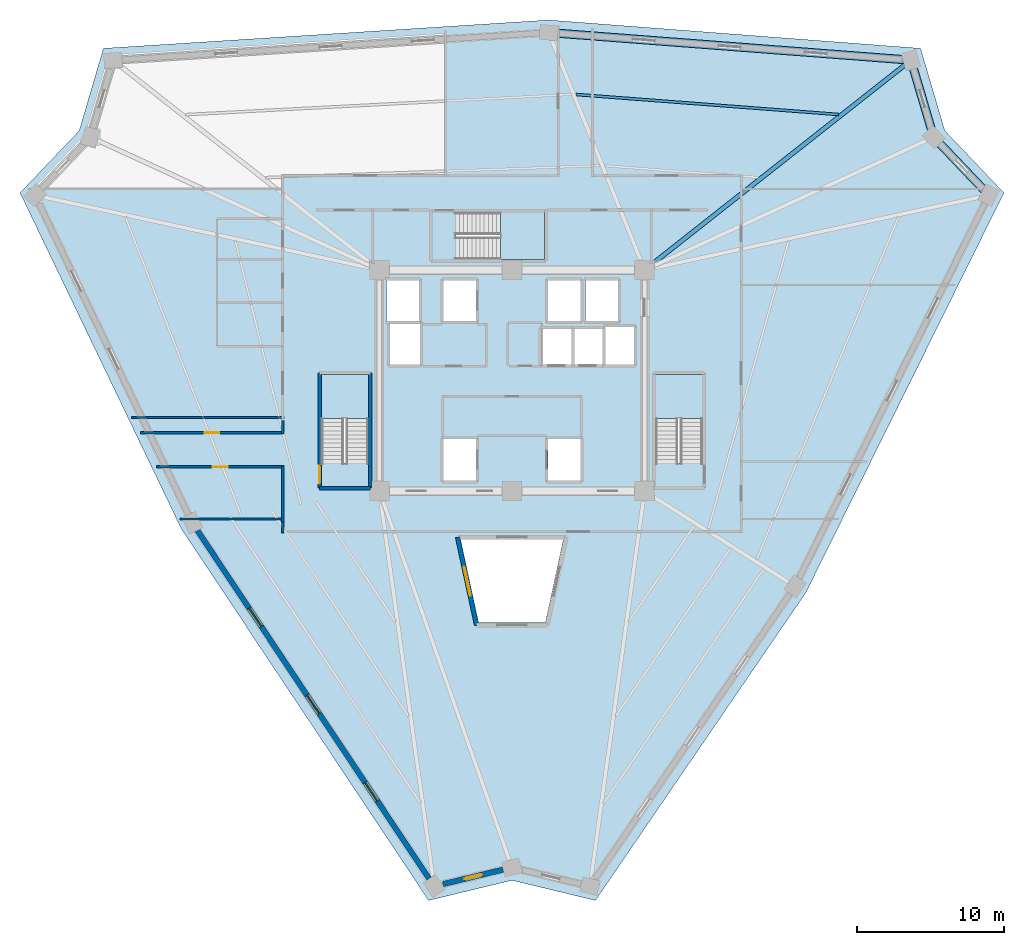
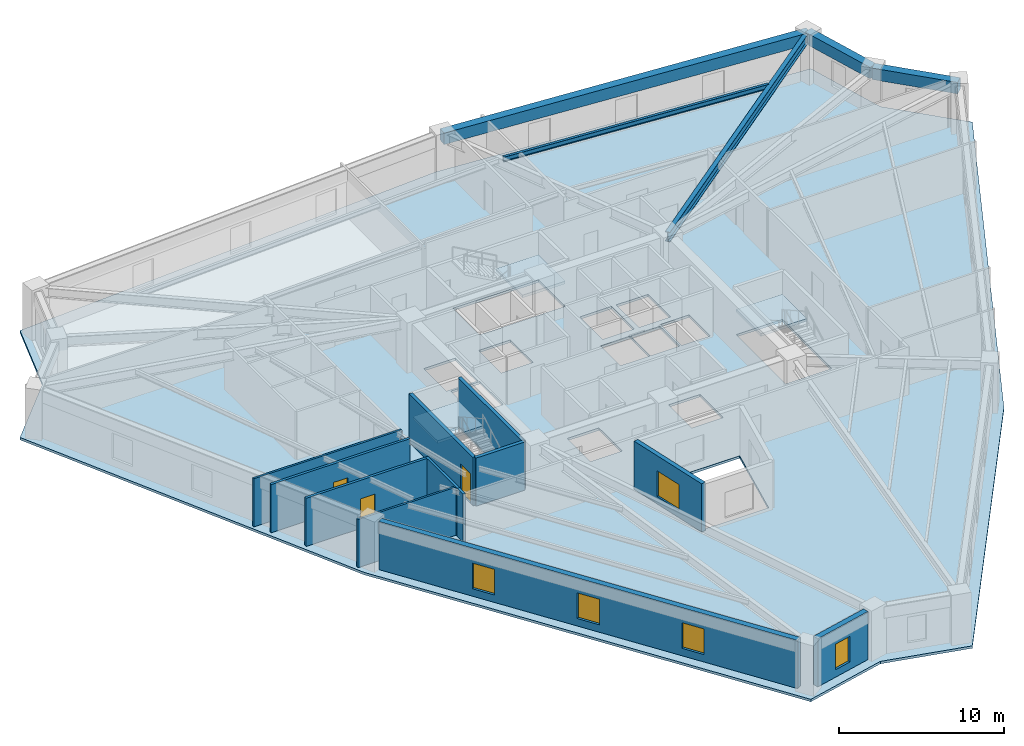
# One storey, part 2 of 9: 13 walls, 5 beams, 5 windows, 4 slabs, 3 doors, 8 openings, 3 elements without a shape of their own.
"""IFC4 building model written with IfcOpenShell, lengths in metres."""

from ifc_helpers import new_model, si_unit, direction, frame, frame_2d, origin, origin_2d, place, context, subcontext, project, spatial, polyline, rectangle, i_section, outline, extrude, source, transform, mapped, material, layer, layer_set, material_profile, profile_set, type_object, element, fill, aggregate, save


model = new_model("IFC4")

# Units and contexts
model_context = context("Model", 3, precision=1e-05, world=origin(), true_north=direction((0.0, 1.0)))
body_context = subcontext(model_context, "Body", "Model", "MODEL_VIEW")
ifc_project = project(units=[si_unit("LENGTHUNIT", "METRE"), si_unit("AREAUNIT", "SQUARE_METRE"), si_unit("VOLUMEUNIT", "CUBIC_METRE"), si_unit("PLANEANGLEUNIT", "RADIAN"), si_unit("MASSUNIT", "GRAM", prefix="KILO")], contexts=[model_context])

# Site, building, storey
site_placement = place(None, origin())
site = spatial("IfcSite", under=ifc_project, at=site_placement, CompositionType="ELEMENT")
building_placement = place(site_placement, origin())
building = spatial("IfcBuilding", under=site, at=building_placement, Name="Liaohun Quay Tower", CompositionType="ELEMENT")
storey_placement = place(building_placement, frame((0.0, 0.0, 236.25)))
storey = spatial("IfcBuildingStorey", under=building, at=storey_placement, Name="L61", CompositionType="ELEMENT", Elevation=236.25)

# Beams
ifc_material_1 = material(Name="Steel Q355D", Category="steel")
ifc_material_profile_1 = material_profile(ifc_material_1, i_section(OverallWidth=0.300048828125, OverallDepth=0.699951171875, WebThickness=0.012939453125, FlangeThickness=0.02392578125, at=origin_2d()), Name="HN700x300x13x24")
ifc_profile_set_1 = profile_set([ifc_material_profile_1], Name="Steel Q355D")
beam_type_1 = type_object("IfcBeamType", Name="BM-RAD-U1", PredefinedType="BEAM", material=ifc_profile_set_1)
shared_shape_1 = source(origin(), body_context, "Body", "SweptSolid", [
    extrude(i_section(OverallWidth=0.300048828125, OverallDepth=0.699951171875, WebThickness=0.012939453125, FlangeThickness=0.02392578125, at=origin_2d()), origin(), (0.0, 0.0, 1.0), 23.018310546875),
])
beam_1_placement = place(storey_placement, frame((69.0, 61.5, 3.219970703125), z_axis=(0.785466672961, 0.618903955123, 0.0), x_axis=(-0.618903955123, 0.785466672961, 0.0)))
element("IfcBeam", 1, at=beam_1_placement, inside=storey, type_object=beam_type_1, Name="L61 Radial Primary Girder CC4-PC07", PredefinedType="BEAM", context=body_context, shape_type="MappedRepresentation", body=[
    mapped(shared_shape_1, transform((0.0, 0.0, 0.0), x_axis=(1.0, 0.0, 0.0), y_axis=(0.0, 1.0, 0.0), z_axis=(0.0, 0.0, 1.0), scale=1.0)),
])
ifc_material_profile_2 = material_profile(ifc_material_1, i_section(OverallWidth=0.175048828125, OverallDepth=0.35009765625, WebThickness=0.007080078125, FlangeThickness=0.010986328125, at=origin_2d()), Name="HN350x175x7x11")
ifc_profile_set_2 = profile_set([ifc_material_profile_2], Name="Steel Q355D")
beam_type_2 = type_object("IfcBeamType", Name="BM-SEC-J3", PredefinedType="JOIST", material=ifc_profile_set_2)
shared_shape_2 = source(origin(), body_context, "Body", "SweptSolid", [
    extrude(i_section(OverallWidth=0.175048828125, OverallDepth=0.35009765625, WebThickness=0.007080078125, FlangeThickness=0.010986328125, at=origin_2d()), origin(), (0.0, 0.0, 1.0), 17.859375),
])
beam_2_placement = place(storey_placement, frame((64.35009765625, 73.416015625, 3.39501953125), z_axis=(0.997109470076, -0.075978317197, 0.0), x_axis=(0.075978317197, 0.997109470076, 0.0)))
element("IfcBeam", 2, at=beam_2_placement, inside=storey, type_object=beam_type_2, Name="L61 Wing Secondary Floor Joist SJ-09", PredefinedType="JOIST", context=body_context, shape_type="MappedRepresentation", body=[
    mapped(shared_shape_2, transform((0.0, 0.0, 0.0), x_axis=(1.0, 0.0, 0.0), y_axis=(0.0, 1.0, 0.0), z_axis=(0.0, 0.0, 1.0), scale=1.0)),
])
ifc_material_2 = material(Name="Precast concrete C50", Category="concrete")
ifc_material_profile_3 = material_profile(ifc_material_2, rectangle(XDim=0.550048828125, YDim=0.85009765625, at=origin_2d()), Name="RC550x850")
ifc_profile_set_3 = profile_set([ifc_material_profile_3], Name="Precast concrete C50")
beam_type_3 = type_object("IfcBeamType", Name="BM-SPD-Z3", PredefinedType="SPANDREL", material=ifc_profile_set_3)
shared_shape_3 = source(origin(), body_context, "Body", "SweptSolid", [
    extrude(rectangle(XDim=0.550048828125, YDim=0.85009765625, at=origin_2d()), origin(), (0.0, 0.0, 1.0), 24.660400390625),
])
beam_3_placement = place(storey_placement, frame((62.490966796875, 77.6201171875, 3.14501953125), z_axis=(0.997108338578, -0.075993165076, 0.0), x_axis=(0.075993165076, 0.997108338578, 0.0)))
element("IfcBeam", 3, at=beam_3_placement, inside=storey, type_object=beam_type_3, Name="L61 Precast Spandrel Beam PC06-PC07", PredefinedType="SPANDREL", context=body_context, shape_type="MappedRepresentation", body=[
    mapped(shared_shape_3, transform((0.0, 0.0, 0.0), x_axis=(1.0, 0.0, 0.0), y_axis=(0.0, 1.0, 0.0), z_axis=(0.0, 0.0, 1.0), scale=1.0)),
])
shared_shape_4 = source(origin(), body_context, "Body", "SweptSolid", [
    extrude(rectangle(XDim=0.550048828125, YDim=0.85009765625, at=origin_2d()), origin(), (0.0, 0.0, 1.0), 5.444091796875),
])
beam_4_placement = place(storey_placement, frame((87.080078125, 75.74609375, 3.14501953125), z_axis=(0.28265429174, -0.959221846791, 0.0), x_axis=(0.959221846791, 0.28265429174, 0.0)))
element("IfcBeam", 4, at=beam_4_placement, inside=storey, type_object=beam_type_3, Name="L61 Precast Spandrel Beam PC07-PC08", PredefinedType="SPANDREL", context=body_context, shape_type="MappedRepresentation", body=[
    mapped(shared_shape_4, transform((0.0, 0.0, 0.0), x_axis=(1.0, 0.0, 0.0), y_axis=(0.0, 1.0, 0.0), z_axis=(0.0, 0.0, 1.0), scale=1.0)),
])
shared_shape_5 = source(origin(), body_context, "Body", "SweptSolid", [
    extrude(rectangle(XDim=0.550048828125, YDim=0.85009765625, at=origin_2d()), origin(), (0.0, 0.0, 1.0), 5.437255859375),
])
beam_5_placement = place(storey_placement, frame((88.618896484375, 70.52392578125, 3.14501953125), z_axis=(0.689332195413, -0.72444539088, 0.0), x_axis=(0.72444539088, 0.689332195413, 0.0)))
element("IfcBeam", 5, at=beam_5_placement, inside=storey, type_object=beam_type_3, Name="L61 Precast Spandrel Beam PC08-PC09", PredefinedType="SPANDREL", context=body_context, shape_type="MappedRepresentation", body=[
    mapped(shared_shape_5, transform((0.0, 0.0, 0.0), x_axis=(1.0, 0.0, 0.0), y_axis=(0.0, 1.0, 0.0), z_axis=(0.0, 0.0, 1.0), scale=1.0)),
])

# Stair, slab
ifc_material_3 = material(Name="Concrete C45", Category="concrete")
stair_type = type_object("IfcStairType", Name="STR-CORE-OFF", PredefinedType="HALF_TURN_STAIR", material=ifc_material_3)
stair_1_placement = place(storey_placement, origin())
stair_1 = element("IfcStair", 6, at=stair_1_placement, inside=storey, type_object=stair_type, Name="L61 Smokeproof Core Exit Stair ST-1", PredefinedType="HALF_TURN_STAIR")
ifc_layer_1 = layer(ifc_material_3, 0.199951171875, Name="Concrete C45", Category="concrete")
ifc_layer_set_1 = layer_set([ifc_layer_1], Name="Concrete C45")
slab_type_1 = type_object("IfcSlabType", Name="SLB-LND-200", PredefinedType="LANDING", material=ifc_layer_set_1)
slab_1_placement = place(storey_placement, frame((0.0, 0.0, 1.675048828125)))
slab_1 = element("IfcSlab", 7, at=slab_1_placement, type_object=slab_type_1, Name="ST-1 landing 1", PredefinedType="LANDING", context=body_context, shape_type="SweptSolid", body=[
    extrude(outline(polyline([(50.280029296875, 51.429931640625), (50.280029296875, 54.419921875), (47.0400390625, 54.419921875), (47.0400390625, 51.429931640625), (50.280029296875, 51.429931640625)])), origin(), (0.0, 0.0, 1.0), 0.199951171875),
])
aggregate(stair_1, [slab_1])

stair_2_placement = place(storey_placement, origin())
stair_2 = element("IfcStair", 8, at=stair_2_placement, inside=storey, type_object=stair_type, Name="L61 Smokeproof Core Exit Stair ST-2", PredefinedType="HALF_TURN_STAIR")
slab_2_placement = place(storey_placement, frame((0.0, 0.0, 1.675048828125)))
slab_2 = element("IfcSlab", 9, at=slab_2_placement, type_object=slab_type_1, Name="ST-2 landing 1", PredefinedType="LANDING", context=body_context, shape_type="SweptSolid", body=[
    extrude(outline(polyline([(72.9599609375, 51.429931640625), (72.9599609375, 54.419921875), (69.719970703125, 54.419921875), (69.719970703125, 51.429931640625), (72.9599609375, 51.429931640625)])), origin(), (0.0, 0.0, 1.0), 0.199951171875),
])
aggregate(stair_2, [slab_2])

stair_3_placement = place(storey_placement, origin())
stair_3 = element("IfcStair", 10, at=stair_3_placement, inside=storey, type_object=stair_type, Name="L61 Smokeproof Core Exit Stair ST-3", PredefinedType="HALF_TURN_STAIR")
slab_3_placement = place(storey_placement, frame((0.0, 0.0, 1.675048828125)))
slab_3 = element("IfcSlab", 11, at=slab_3_placement, type_object=slab_type_1, Name="ST-3 landing 1", PredefinedType="LANDING", context=body_context, shape_type="SweptSolid", body=[
    extrude(outline(polyline([(59.22998046875, 62.199951171875), (62.219970703125, 62.199951171875), (62.219970703125, 65.43994140625), (59.22998046875, 65.43994140625), (59.22998046875, 62.199951171875)])), origin(), (0.0, 0.0, 1.0), 0.199951171875),
])
aggregate(stair_3, [slab_3])

# Slab
ifc_layer_2 = layer(ifc_material_3, 0.179931640625, Name="Concrete C45", Category="concrete")
ifc_layer_set_2 = layer_set([ifc_layer_2], Name="Concrete C45")
slab_type_2 = type_object("IfcSlabType", Name="SLB-OFF-180", PredefinedType="FLOOR", material=ifc_layer_set_2)
slab_4_placement = place(storey_placement, frame((0.0, 0.0, -0.179931640625)))
element("IfcSlab", 12, at=slab_4_placement, inside=storey, type_object=slab_type_2, Name="L61 Structural Floor Slab", PredefinedType="FLOOR", context=body_context, shape_type="SweptSolid", body=[
    extrude(outline(polyline([(54.3369140625, 18.7109375), (60.0, 20.0791015625), (65.6630859375, 18.7109375), (79.945068359375, 39.60302734375), (93.39306640625, 66.739990234375), (89.3759765625, 70.9609375), (87.72998046875, 76.549072265625), (62.49609375, 78.471923828125), (32.27001953125, 76.549072265625), (30.6240234375, 70.9609375), (26.60693359375, 66.739990234375), (37.55908203125, 43.926025390625), (54.3369140625, 18.7109375)]), holes=[polyline([(63.48193359375, 43.199951171875), (56.51806640625, 43.199951171875), (57.737060546875, 37.56298828125), (62.262939453125, 37.56298828125), (63.48193359375, 43.199951171875)]), polyline([(57.56005859375, 47.2099609375), (57.56005859375, 50.030029296875), (55.340087890625, 50.030029296875), (55.340087890625, 47.2099609375), (57.56005859375, 47.2099609375)]), polyline([(50.280029296875, 54.419921875), (47.0400390625, 54.419921875), (47.0400390625, 48.409912109375), (50.280029296875, 48.409912109375), (50.280029296875, 54.419921875)]), polyline([(53.760009765625, 55.090087890625), (53.760009765625, 57.909912109375), (51.7099609375, 57.909912109375), (51.7099609375, 55.090087890625), (53.760009765625, 55.090087890625)]), polyline([(53.7099609375, 58.0400390625), (53.7099609375, 60.7900390625), (51.489990234375, 60.7900390625), (51.489990234375, 58.0400390625), (53.7099609375, 58.0400390625)]), polyline([(57.56005859375, 58.0400390625), (57.56005859375, 60.7900390625), (55.340087890625, 60.7900390625), (55.340087890625, 58.0400390625), (57.56005859375, 58.0400390625)]), polyline([(62.219970703125, 62.199951171875), (62.219970703125, 65.43994140625), (56.2099609375, 65.43994140625), (56.2099609375, 62.199951171875), (62.219970703125, 62.199951171875)]), polyline([(64.659912109375, 50.030029296875), (62.43994140625, 50.030029296875), (62.43994140625, 47.2099609375), (64.659912109375, 47.2099609375), (64.659912109375, 50.030029296875)]), polyline([(72.9599609375, 54.419921875), (69.719970703125, 54.419921875), (69.719970703125, 48.409912109375), (72.9599609375, 48.409912109375), (72.9599609375, 54.419921875)]), polyline([(64.06005859375, 55.090087890625), (64.06005859375, 57.510009765625), (61.989990234375, 57.510009765625), (61.989990234375, 55.090087890625), (64.06005859375, 55.090087890625)]), polyline([(66.159912109375, 55.090087890625), (66.159912109375, 57.510009765625), (64.090087890625, 57.510009765625), (64.090087890625, 55.090087890625), (66.159912109375, 55.090087890625)]), polyline([(68.2900390625, 55.090087890625), (68.2900390625, 57.659912109375), (66.2900390625, 57.659912109375), (66.2900390625, 55.090087890625), (68.2900390625, 55.090087890625)]), polyline([(64.659912109375, 58.0400390625), (64.659912109375, 60.7900390625), (62.43994140625, 60.7900390625), (62.43994140625, 58.0400390625), (64.659912109375, 58.0400390625)]), polyline([(67.2099609375, 58.0400390625), (67.2099609375, 60.7900390625), (64.989990234375, 60.7900390625), (64.989990234375, 58.0400390625), (67.2099609375, 58.0400390625)])]), origin(), (0.0, 0.0, 1.0), 0.179931640625),
])

# Wall, opening, window
ifc_material_4 = material(Name="Concrete C50", Category="concrete")
ifc_layer_3 = layer(ifc_material_4, 0.300048828125, Name="Concrete C50", Category="concrete")
ifc_layer_set_3 = layer_set([ifc_layer_3], Name="Concrete C50")
wall_type_1 = type_object("IfcWallType", Name="WAL-ATR-300", PredefinedType="SOLIDWALL", material=ifc_layer_set_3)
wall_1_placement = place(storey_placement, frame((57.60009765625, 37.39306640625, 0.0), z_axis=(0.0, 0.0, 1.0), x_axis=(-0.211469886749, 0.977384513382, 0.0)))
wall_1 = element("IfcWall", 13, at=wall_1_placement, inside=storey, type_object=wall_type_1, Name="L61 Atrium Fire Compartment Wall 1", PredefinedType="SOLIDWALL", context=body_context, shape_type="SweptSolid", body=[
    extrude(rectangle(XDim=6.115234375, YDim=0.300048828125, at=frame_2d((3.0576171875, 0.0))), origin(), (0.0, 0.0, 1.0), 3.570068359375),
])
shared_shape_6 = source(origin(), body_context, "Body", "SweptSolid", [
    extrude(rectangle(XDim=2.0, YDim=1.89990234375, at=frame_2d((1.0, 0.949951171875))), frame((0.0, 0.159912109375, 0.0), z_axis=(0.0, -1.0, 0.0), x_axis=(1.0, 0.0, 0.0)), (0.0, 0.0, 1.0), 0.320068359375),
])
opening_1_placement = place(wall_1_placement, frame((2.05810546875, 0.0, 0.550048828125)))
opening_1 = element("IfcOpeningElement", 14, at=opening_1_placement, cuts=wall_1, Name="Opening W07", PredefinedType="OPENING", context=body_context, shape_type="MappedRepresentation", body=[
    mapped(shared_shape_6, transform((0.0, 0.0, 0.0), x_axis=(1.0, 0.0, 0.0), y_axis=(0.0, 1.0, 0.0), z_axis=(0.0, 0.0, 1.0), scale=1.0)),
])
ifc_material_5 = material(Name="Class A 180-min fire-resistant insulated glazing", Category="glass")
window_type_1 = type_object("IfcWindowType", Name="WIN-ATR-FIR", PartitioningType="DOUBLE_PANEL_VERTICAL", PredefinedType="WINDOW", material=ifc_material_5)
shared_shape_7 = source(origin(), body_context, "Body", "SweptSolid", [
    extrude(rectangle(XDim=2.0, YDim=1.89990234375, at=frame_2d((1.0, 0.949951171875))), frame((0.0, 0.030029296875, 0.0), z_axis=(0.0, -1.0, 0.0), x_axis=(1.0, 0.0, 0.0)), (0.0, 0.0, 1.0), 0.06005859375),
])
window_1_placement = place(opening_1_placement, origin())
window_1 = element("IfcWindow", 15, at=window_1_placement, inside=storey, type_object=window_type_1, Name="L61 Atrium Fire-Resistant Glazing W07-1", OverallHeight=1.89990234375, OverallWidth=2.0, PartitioningType="DOUBLE_PANEL_VERTICAL", PredefinedType="WINDOW", context=body_context, shape_type="MappedRepresentation", body=[
    mapped(shared_shape_7, transform((0.0, 0.0, 0.0), x_axis=(1.0, 0.0, 0.0), y_axis=(0.0, 1.0, 0.0), z_axis=(0.0, 0.0, 1.0), scale=1.0)),
])
fill(opening_1, window_1)

# Wall, openings, windows
ifc_material_6 = material(Name="Precast concrete C50 insulated sandwich", Category="concrete")
ifc_layer_4 = layer(ifc_material_6, 0.3798828125, Name="Precast concrete C50 insulated sandwich", Category="concrete")
ifc_layer_set_4 = layer_set([ifc_layer_4], Name="Precast concrete C50 insulated sandwich")
wall_type_2 = type_object("IfcWallType", Name="WAL-EXT-Z34", PredefinedType="SOLIDWALL", material=ifc_layer_set_4)
wall_2_placement = place(storey_placement, frame((38.64111328125, 43.8349609375, 0.0), z_axis=(0.0, 0.0, 1.0), x_axis=(0.553942197413, -0.83255512846, 0.0)))
wall_2 = element("IfcWall", 16, at=wall_2_placement, inside=storey, type_object=wall_type_2, Name="L61 Brutalist Precast Pier Wall 11", PredefinedType="SOLIDWALL", context=body_context, shape_type="SweptSolid", body=[
    extrude(rectangle(XDim=28.401611328125, YDim=0.3798828125, at=frame_2d((14.20068359375, 0.0))), origin(), (0.0, 0.0, 1.0), 3.570068359375),
])
shared_shape_8 = source(origin(), body_context, "Body", "SweptSolid", [
    extrude(rectangle(XDim=1.5, YDim=1.89990234375, at=frame_2d((0.75, 0.949951171875))), frame((0.0, 0.199951171875, 0.0), z_axis=(0.0, -1.0, 0.0), x_axis=(1.0, 0.0, 0.0)), (0.0, 0.0, 1.0), 0.39990234375),
])
opening_2_placement = place(wall_2_placement, frame((6.35009765625, 0.0, 0.550048828125)))
opening_2 = element("IfcOpeningElement", 17, at=opening_2_placement, cuts=wall_2, Name="Opening W03", PredefinedType="OPENING", context=body_context, shape_type="MappedRepresentation", body=[
    mapped(shared_shape_8, transform((0.0, 0.0, 0.0), x_axis=(1.0, 0.0, 0.0), y_axis=(0.0, 1.0, 0.0), z_axis=(0.0, 0.0, 1.0), scale=1.0)),
])
opening_3_placement = place(wall_2_placement, frame((13.450927734375, 0.0, 0.550048828125)))
opening_3 = element("IfcOpeningElement", 18, at=opening_3_placement, cuts=wall_2, Name="Opening W03", PredefinedType="OPENING", context=body_context, shape_type="MappedRepresentation", body=[
    mapped(shared_shape_8, transform((0.0, 0.0, 0.0), x_axis=(1.0, 0.0, 0.0), y_axis=(0.0, 1.0, 0.0), z_axis=(0.0, 0.0, 1.0), scale=1.0)),
])
opening_4_placement = place(wall_2_placement, frame((20.551025390625, 0.0, 0.550048828125)))
opening_4 = element("IfcOpeningElement", 19, at=opening_4_placement, cuts=wall_2, Name="Opening W03", PredefinedType="OPENING", context=body_context, shape_type="MappedRepresentation", body=[
    mapped(shared_shape_8, transform((0.0, 0.0, 0.0), x_axis=(1.0, 0.0, 0.0), y_axis=(0.0, 1.0, 0.0), z_axis=(0.0, 0.0, 1.0), scale=1.0)),
])
ifc_material_7 = material(Name="Triple Low-E argon glazing in thermally broken aluminium", Category="aluminium")
window_type_2 = type_object("IfcWindowType", Name="WIN-PUN-Z3", PartitioningType="DOUBLE_PANEL_VERTICAL", PredefinedType="WINDOW", material=ifc_material_7)
shared_shape_9 = source(origin(), body_context, "Body", "SweptSolid", [
    extrude(rectangle(XDim=1.5, YDim=1.89990234375, at=frame_2d((0.75, 0.949951171875))), frame((0.0, 0.030029296875, 0.0), z_axis=(0.0, -1.0, 0.0), x_axis=(1.0, 0.0, 0.0)), (0.0, 0.0, 1.0), 0.06005859375),
])
window_2_placement = place(opening_2_placement, origin())
window_2 = element("IfcWindow", 20, at=window_2_placement, inside=storey, type_object=window_type_2, Name="L61 Recessed Cold-Climate Punched Window 11-1", OverallHeight=1.89990234375, OverallWidth=1.5, PartitioningType="DOUBLE_PANEL_VERTICAL", PredefinedType="WINDOW", context=body_context, shape_type="MappedRepresentation", body=[
    mapped(shared_shape_9, transform((0.0, 0.0, 0.0), x_axis=(1.0, 0.0, 0.0), y_axis=(0.0, 1.0, 0.0), z_axis=(0.0, 0.0, 1.0), scale=1.0)),
])
fill(opening_2, window_2)
window_3_placement = place(opening_3_placement, origin())
window_3 = element("IfcWindow", 21, at=window_3_placement, inside=storey, type_object=window_type_2, Name="L61 Recessed Cold-Climate Punched Window 11-2", OverallHeight=1.89990234375, OverallWidth=1.5, PartitioningType="DOUBLE_PANEL_VERTICAL", PredefinedType="WINDOW", context=body_context, shape_type="MappedRepresentation", body=[
    mapped(shared_shape_9, transform((0.0, 0.0, 0.0), x_axis=(1.0, 0.0, 0.0), y_axis=(0.0, 1.0, 0.0), z_axis=(0.0, 0.0, 1.0), scale=1.0)),
])
fill(opening_3, window_3)
window_4_placement = place(opening_4_placement, origin())
window_4 = element("IfcWindow", 22, at=window_4_placement, inside=storey, type_object=window_type_2, Name="L61 Recessed Cold-Climate Punched Window 11-3", OverallHeight=1.89990234375, OverallWidth=1.5, PartitioningType="DOUBLE_PANEL_VERTICAL", PredefinedType="WINDOW", context=body_context, shape_type="MappedRepresentation", body=[
    mapped(shared_shape_9, transform((0.0, 0.0, 0.0), x_axis=(1.0, 0.0, 0.0), y_axis=(0.0, 1.0, 0.0), z_axis=(0.0, 0.0, 1.0), scale=1.0)),
])
fill(opening_4, window_4)

# Wall, opening, window
wall_3_placement = place(storey_placement, frame((55.31298828125, 19.821044921875, 0.0), z_axis=(0.0, 0.0, 1.0), x_axis=(0.972027407526, 0.234867449893, 0.0)))
wall_3 = element("IfcWall", 23, at=wall_3_placement, inside=storey, type_object=wall_type_2, Name="L61 Brutalist Precast Pier Wall 12", PredefinedType="SOLIDWALL", context=body_context, shape_type="SweptSolid", body=[
    extrude(rectangle(XDim=4.206787109375, YDim=0.3798828125, at=frame_2d((2.103515625, 0.0))), origin(), (0.0, 0.0, 1.0), 3.570068359375),
])
shared_shape_10 = source(origin(), body_context, "Body", "SweptSolid", [
    extrude(rectangle(XDim=1.199951171875, YDim=1.89990234375, at=frame_2d((0.60009765625, 0.949951171875))), frame((0.0, 0.199951171875, 0.0), z_axis=(0.0, -1.0, 0.0), x_axis=(1.0, 0.0, 0.0)), (0.0, 0.0, 1.0), 0.39990234375),
])
opening_5_placement = place(wall_3_placement, frame((1.5029296875, 0.0, 0.550048828125)))
opening_5 = element("IfcOpeningElement", 24, at=opening_5_placement, cuts=wall_3, Name="Opening W05", PredefinedType="OPENING", context=body_context, shape_type="MappedRepresentation", body=[
    mapped(shared_shape_10, transform((0.0, 0.0, 0.0), x_axis=(1.0, 0.0, 0.0), y_axis=(0.0, 1.0, 0.0), z_axis=(0.0, 0.0, 1.0), scale=1.0)),
])
ifc_material_8 = material(Name="Triple Low-E corner notch glazing", Category="glass")
window_type_3 = type_object("IfcWindowType", Name="WIN-NOTCH", PartitioningType="SINGLE_PANEL", PredefinedType="WINDOW", material=ifc_material_8)
shared_shape_11 = source(origin(), body_context, "Body", "SweptSolid", [
    extrude(rectangle(XDim=1.199951171875, YDim=1.89990234375, at=frame_2d((0.60009765625, 0.949951171875))), frame((0.0, 0.030029296875, 0.0), z_axis=(0.0, -1.0, 0.0), x_axis=(1.0, 0.0, 0.0)), (0.0, 0.0, 1.0), 0.06005859375),
])
window_5_placement = place(opening_5_placement, origin())
window_5 = element("IfcWindow", 25, at=window_5_placement, inside=storey, type_object=window_type_3, Name="L61 Corner Notch Window W05-12", OverallHeight=1.89990234375, OverallWidth=1.199951171875, PartitioningType="SINGLE_PANEL", PredefinedType="WINDOW", context=body_context, shape_type="MappedRepresentation", body=[
    mapped(shared_shape_11, transform((0.0, 0.0, 0.0), x_axis=(1.0, 0.0, 0.0), y_axis=(0.0, 1.0, 0.0), z_axis=(0.0, 0.0, 1.0), scale=1.0)),
])
fill(opening_5, window_5)

# Wall, opening, door
ifc_material_9 = material(Name="Autoclaved aerated concrete blockwork", Category="masonry")
ifc_layer_5 = layer(ifc_material_9, 0.179931640625, Name="Autoclaved aerated concrete blockwork", Category="masonry")
ifc_layer_set_5 = layer_set([ifc_layer_5], Name="Autoclaved aerated concrete blockwork")
wall_type_3 = type_object("IfcWallType", Name="WAL-PRT-COR", PredefinedType="PARTITIONING", material=ifc_layer_set_5)
wall_4_placement = place(storey_placement, frame((34.77392578125, 50.4599609375, 0.0), z_axis=(0.0, 0.0, 1.0), x_axis=(1.0, 0.0, 0.0)))
wall_4 = element("IfcWall", 26, at=wall_4_placement, inside=storey, type_object=wall_type_3, Name="L61 Interior Partition Wall 017", PredefinedType="PARTITIONING", context=body_context, shape_type="SweptSolid", body=[
    extrude(rectangle(XDim=9.736083984375, YDim=0.179931640625, at=frame_2d((4.8681640625, 0.0))), origin(), (0.0, 0.0, 1.0), 3.570068359375),
])
shared_shape_12 = source(origin(), body_context, "Body", "SweptSolid", [
    extrude(rectangle(XDim=1.0, YDim=2.199951171875, at=frame_2d((0.5, 1.10009765625))), frame((0.0, 0.099853515625, 0.0), z_axis=(0.0, -1.0, 0.0), x_axis=(1.0, 0.0, 0.0)), (0.0, 0.0, 1.0), 0.199951171875),
])
opening_6_placement = place(wall_4_placement, frame((4.367919921875, 0.0, 0.0)))
opening_6 = element("IfcOpeningElement", 27, at=opening_6_placement, cuts=wall_4, Name="Opening OD1", PredefinedType="OPENING", context=body_context, shape_type="MappedRepresentation", body=[
    mapped(shared_shape_12, transform((0.0, 0.0, 0.0), x_axis=(1.0, 0.0, 0.0), y_axis=(0.0, 1.0, 0.0), z_axis=(0.0, 0.0, 1.0), scale=1.0)),
])
ifc_material_10 = material(Name="Solid-core oak veneer timber leaf in steel frame", Category="steel")
door_type_1 = type_object("IfcDoorType", Name="DOR-OFF-1000", OperationType="NOTDEFINED", PredefinedType="DOOR", material=ifc_material_10)
shared_shape_13 = source(origin(), body_context, "Body", "SweptSolid", [
    extrude(rectangle(XDim=1.0, YDim=2.199951171875, at=frame_2d((0.5, 1.10009765625))), frame((0.0, 0.02490234375, 0.0), z_axis=(0.0, -1.0, 0.0), x_axis=(1.0, 0.0, 0.0)), (0.0, 0.0, 1.0), 0.050048828125),
])
door_1_placement = place(opening_6_placement, origin())
door_1 = element("IfcDoor", 28, at=door_1_placement, inside=storey, type_object=door_type_1, Name="L61 Digital Prototyping Laboratory 07 Door", OperationType="SINGLE_SWING_LEFT", OverallHeight=2.199951171875, OverallWidth=1.0, PredefinedType="DOOR", context=body_context, shape_type="MappedRepresentation", body=[
    mapped(shared_shape_13, transform((0.0, 0.0, 0.0), x_axis=(1.0, 0.0, 0.0), y_axis=(0.0, 1.0, 0.0), z_axis=(0.0, 0.0, 1.0), scale=1.0)),
])
fill(opening_6, door_1)

wall_5_placement = place(storey_placement, frame((44.510009765625, 48.139892578125, 0.0), z_axis=(0.0, 0.0, 1.0), x_axis=(-1.0, 0.0, 0.0)))
wall_5 = element("IfcWall", 29, at=wall_5_placement, inside=storey, type_object=wall_type_3, Name="L61 Interior Partition Wall 018", PredefinedType="PARTITIONING", context=body_context, shape_type="SweptSolid", body=[
    extrude(rectangle(XDim=8.6220703125, YDim=0.179931640625, at=frame_2d((4.31103515625, 0.0))), origin(), (0.0, 0.0, 1.0), 3.570068359375),
])
opening_7_placement = place(wall_5_placement, frame((3.81103515625, 0.0, 0.0)))
opening_7 = element("IfcOpeningElement", 30, at=opening_7_placement, cuts=wall_5, Name="Opening OD1", PredefinedType="OPENING", context=body_context, shape_type="MappedRepresentation", body=[
    mapped(shared_shape_12, transform((0.0, 0.0, 0.0), x_axis=(1.0, 0.0, 0.0), y_axis=(0.0, 1.0, 0.0), z_axis=(0.0, 0.0, 1.0), scale=1.0)),
])
door_2_placement = place(opening_7_placement, origin())
door_2 = element("IfcDoor", 31, at=door_2_placement, inside=storey, type_object=door_type_1, Name="L61 Engineering Model Workshop 08 Door", OperationType="SINGLE_SWING_RIGHT", OverallHeight=2.199951171875, OverallWidth=1.0, PredefinedType="DOOR", context=body_context, shape_type="MappedRepresentation", body=[
    mapped(shared_shape_13, transform((0.0, 0.0, 0.0), x_axis=(1.0, 0.0, 0.0), y_axis=(0.0, 1.0, 0.0), z_axis=(0.0, 0.0, 1.0), scale=1.0)),
])
fill(opening_7, door_2)

# Walls
wall_6_placement = place(storey_placement, frame((44.43994140625, 50.389892578125, 0.0), z_axis=(0.0, 0.0, 1.0), x_axis=(0.0, 1.0, 0.0)))
element("IfcWall", 32, at=wall_6_placement, inside=storey, type_object=wall_type_3, Name="L61 Interior Partition Wall 036", PredefinedType="PARTITIONING", context=body_context, shape_type="SweptSolid", body=[
    extrude(rectangle(XDim=0.89501953125, YDim=0.179931640625, at=frame_2d((0.447509765625, 0.0))), origin(), (0.0, 0.0, 1.0), 3.205078125),
])
wall_7_placement = place(storey_placement, frame((44.43994140625, 44.385009765625, 0.0), z_axis=(0.0, 0.0, 1.0), x_axis=(0.0, 1.0, 0.0)))
element("IfcWall", 33, at=wall_7_placement, inside=storey, type_object=wall_type_3, Name="L61 Interior Partition Wall 037", PredefinedType="PARTITIONING", context=body_context, shape_type="SweptSolid", body=[
    extrude(rectangle(XDim=3.824951171875, YDim=0.179931640625, at=frame_2d((1.91259765625, 0.0))), origin(), (0.0, 0.0, 1.0), 3.570068359375),
])
wall_8_placement = place(storey_placement, frame((44.43994140625, 43.669921875, 0.0), z_axis=(0.0, 0.0, 1.0), x_axis=(0.0, 1.0, 0.0)))
element("IfcWall", 34, at=wall_8_placement, inside=storey, type_object=wall_type_3, Name="L61 Interior Partition Wall 038", PredefinedType="PARTITIONING", context=body_context, shape_type="SweptSolid", body=[
    extrude(rectangle(XDim=0.715087890625, YDim=0.179931640625, at=frame_2d((0.357421875, 0.0))), origin(), (0.0, 0.0, 1.0), 3.570068359375),
])
ifc_material_11 = material(Name="Gypsum board on twin steel studs", Category="steel")
ifc_layer_6 = layer(ifc_material_11, 0.139892578125, Name="Gypsum board on twin steel studs", Category="steel")
ifc_layer_set_6 = layer_set([ifc_layer_6], Name="Gypsum board on twin steel studs")
wall_type_4 = type_object("IfcWallType", Name="WAL-PRT-OFF", PredefinedType="PARTITIONING", material=ifc_layer_set_6)
wall_9_placement = place(storey_placement, frame((44.5400390625, 44.60009765625, 0.0), z_axis=(0.0, 0.0, 1.0), x_axis=(-1.0, 0.0, 0.0)))
element("IfcWall", 35, at=wall_9_placement, inside=storey, type_object=wall_type_4, Name="L61 Interior Partition Wall 040", PredefinedType="PARTITIONING", context=body_context, shape_type="SweptSolid", body=[
    extrude(rectangle(XDim=7.06103515625, YDim=0.139892578125, at=frame_2d((3.530517578125, 0.0))), origin(), (0.0, 0.0, 1.0), 3.570068359375),
])
wall_10_placement = place(storey_placement, frame((44.5400390625, 51.5, 0.0), z_axis=(0.0, 0.0, 1.0), x_axis=(-1.0, 0.0, 0.0)))
element("IfcWall", 36, at=wall_10_placement, inside=storey, type_object=wall_type_4, Name="L61 Interior Partition Wall 041", PredefinedType="PARTITIONING", context=body_context, shape_type="SweptSolid", body=[
    extrude(rectangle(XDim=10.373046875, YDim=0.139892578125, at=frame_2d((5.1865234375, 0.0))), origin(), (0.0, 0.0, 1.0), 3.570068359375),
])
ifc_layer_7 = layer(ifc_material_4, 0.239990234375, Name="Concrete C50", Category="concrete")
ifc_layer_set_7 = layer_set([ifc_layer_7], Name="Concrete C50")
wall_type_5 = type_object("IfcWallType", Name="WAL-SHF-200", PredefinedType="SOLIDWALL", material=ifc_layer_set_7)
wall_11_placement = place(storey_placement, frame((46.93994140625, 46.699951171875, 0.0), z_axis=(0.0, 0.0, 1.0), x_axis=(1.0, 0.0, 0.0)))
element("IfcWall", 37, at=wall_11_placement, inside=storey, type_object=wall_type_5, Name="L61 Stairwell ST-1 Structural Core Wall S", PredefinedType="SOLIDWALL", context=body_context, shape_type="SweptSolid", body=[
    extrude(rectangle(XDim=3.43994140625, YDim=0.239990234375, at=frame_2d((1.719970703125, 0.0))), origin(), (0.0, 0.0, 1.0), 3.570068359375),
])
wall_12_placement = place(storey_placement, frame((50.3798828125, 46.699951171875, 0.0), z_axis=(0.0, 0.0, 1.0), x_axis=(0.0, 1.0, 0.0)))
element("IfcWall", 38, at=wall_12_placement, inside=storey, type_object=wall_type_5, Name="L61 Stairwell ST-1 Structural Core Wall E", PredefinedType="SOLIDWALL", context=body_context, shape_type="SweptSolid", body=[
    extrude(rectangle(XDim=7.820068359375, YDim=0.239990234375, at=frame_2d((3.91015625, 0.0))), origin(), (0.0, 0.0, 1.0), 3.570068359375),
])

# Wall, opening, door
wall_13_placement = place(storey_placement, frame((46.93994140625, 54.52001953125, 0.0), z_axis=(0.0, 0.0, 1.0), x_axis=(0.0, -1.0, 0.0)))
wall_13 = element("IfcWall", 39, at=wall_13_placement, inside=storey, type_object=wall_type_5, Name="L61 Stairwell ST-1 Structural Core Wall W", PredefinedType="SOLIDWALL", context=body_context, shape_type="SweptSolid", body=[
    extrude(rectangle(XDim=7.820068359375, YDim=0.239990234375, at=frame_2d((3.91015625, 0.0))), origin(), (0.0, 0.0, 1.0), 3.570068359375),
])
shared_shape_14 = source(origin(), body_context, "Body", "SweptSolid", [
    extrude(rectangle(XDim=1.199951171875, YDim=2.199951171875, at=frame_2d((0.60009765625, 1.10009765625))), frame((0.0, 0.1298828125, 0.0), z_axis=(0.0, -1.0, 0.0), x_axis=(1.0, 0.0, 0.0)), (0.0, 0.0, 1.0), 0.260009765625),
])
opening_8_placement = place(wall_13_placement, frame((6.300048828125, 0.0, 0.0)))
opening_8 = element("IfcOpeningElement", 40, at=opening_8_placement, cuts=wall_13, Name="Opening SD1", PredefinedType="OPENING", context=body_context, shape_type="MappedRepresentation", body=[
    mapped(shared_shape_14, transform((0.0, 0.0, 0.0), x_axis=(1.0, 0.0, 0.0), y_axis=(0.0, 1.0, 0.0), z_axis=(0.0, 0.0, 1.0), scale=1.0)),
])
ifc_material_12 = material(Name="Galvanised steel fire door", Category="steel")
door_type_2 = type_object("IfcDoorType", Name="DOR-STR-1200", OperationType="NOTDEFINED", PredefinedType="DOOR", material=ifc_material_12)
shared_shape_15 = source(origin(), body_context, "Body", "SweptSolid", [
    extrude(rectangle(XDim=1.199951171875, YDim=2.199951171875, at=frame_2d((0.60009765625, 1.10009765625))), frame((0.0, 0.02490234375, 0.0), z_axis=(0.0, -1.0, 0.0), x_axis=(1.0, 0.0, 0.0)), (0.0, 0.0, 1.0), 0.050048828125),
])
door_3_placement = place(opening_8_placement, origin())
door_3 = element("IfcDoor", 41, at=door_3_placement, inside=storey, type_object=door_type_2, Name="L61 Protected Stair ST-1 Fire Door", OperationType="SINGLE_SWING_LEFT", OverallHeight=2.199951171875, OverallWidth=1.199951171875, PredefinedType="DOOR", context=body_context, shape_type="MappedRepresentation", body=[
    mapped(shared_shape_15, transform((0.0, 0.0, 0.0), x_axis=(1.0, 0.0, 0.0), y_axis=(0.0, 1.0, 0.0), z_axis=(0.0, 0.0, 1.0), scale=1.0)),
])
fill(opening_8, door_3)

save(model, "model.ifc")
